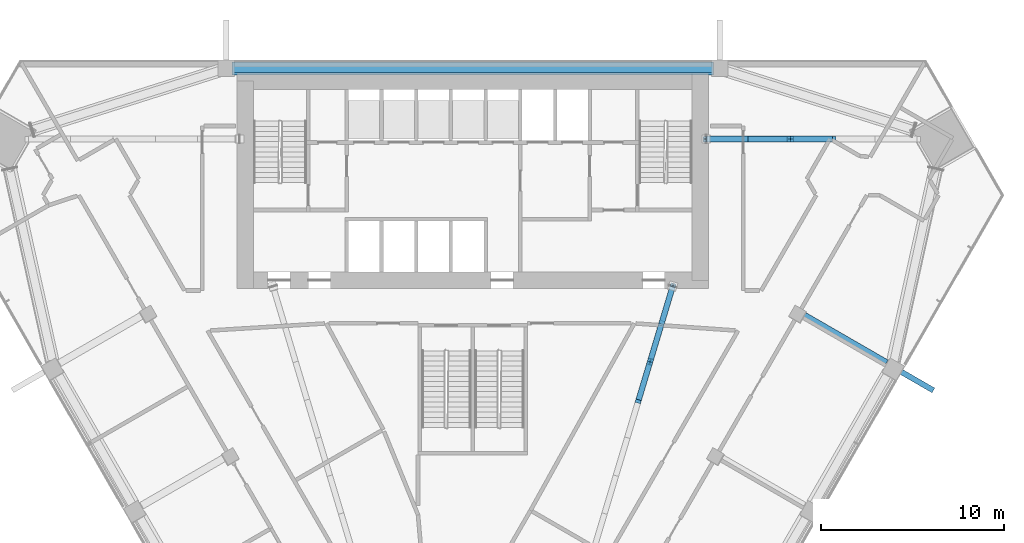
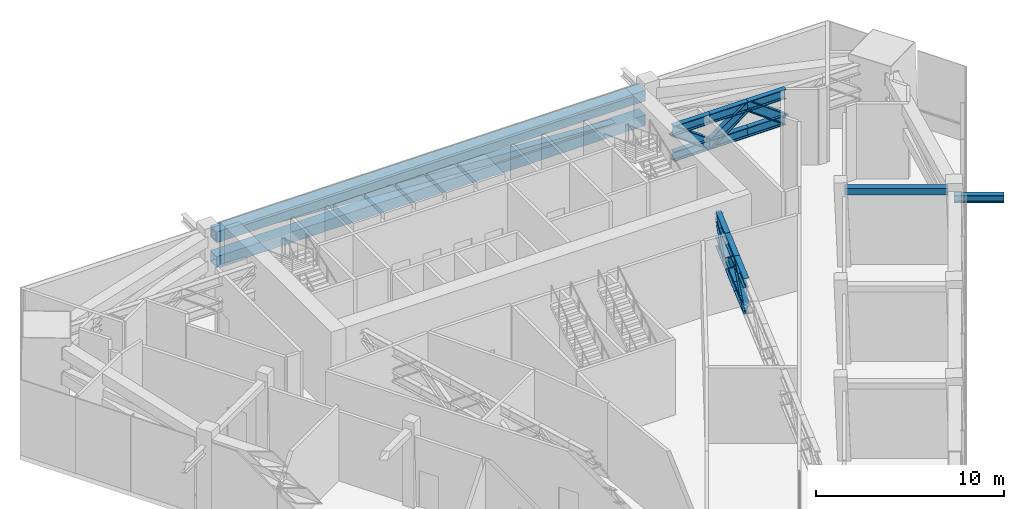
# One storey, part 6 of 15: 22 members, 1 beam.
"""IFC4 building model written with IfcOpenShell, lengths in metres."""

import ifcopenshell
import ifcopenshell.guid

model = None  # the IFC model being written
_history = None  # IfcOwnerHistory: only IFC2X3 demands one
_inside = {}  # id of a spatial element -> (the spatial element, [elements in it])
_under = {}  # id of a project, library or spatial element -> (it, [spatial elements below it])
_declared = {}  # id of a project -> (the project, [libraries it declares])
_typed = {}  # id of a type object -> (the type object, [elements of that type])
_made_of = {}  # id of a material, layer set ... -> (it, [elements and type objects made of it])


def new_model(schema):
    """Start an empty IFC model of exactly this schema.

    Asked for "IFC4X3", IfcOpenShell would pick the latest addendum, in which some entities
    have other attributes; the version numbers below select the first issue.
    IFC2X3 requires an IfcOwnerHistory on every rooted entity: one is made here for all.
    """
    global model, _history
    if schema == "IFC4X3":
        model = ifcopenshell.file(schema_version=(4, 3, 0, 0))
    else:
        model = ifcopenshell.file(schema=schema)
    _inside.clear()
    _under.clear()
    _declared.clear()
    _typed.clear()
    _made_of.clear()
    _history = None
    if model.schema == "IFC2X3":
        org = make("IfcOrganization", Name="unknown")
        user = make(
            "IfcPersonAndOrganization",
            ThePerson=make("IfcPerson", FamilyName="unknown"),
            TheOrganization=org,
        )
        app = make(
            "IfcApplication",
            ApplicationDeveloper=org,
            Version="unknown",
            ApplicationFullName="unknown",
            ApplicationIdentifier="unknown",
        )
        _history = make(
            "IfcOwnerHistory",
            OwningUser=user,
            OwningApplication=app,
            ChangeAction="ADDED",
            CreationDate=0,
        )
    return model


def make(cls, **values):
    """One entity of the class cls with the attributes given. An attribute that is None is left unset."""
    return model.create_entity(
        cls, **{name: value for name, value in values.items() if value is not None}
    )


def rooted(cls, **values):
    """An entity with a GlobalId (a new one), such as an element, a storey or a relation."""
    return make(cls, GlobalId=ifcopenshell.guid.new(), OwnerHistory=_history, **values)


def si_unit(unit_type, name, prefix=None):
    """IfcSIUnit, for example si_unit("LENGTHUNIT", "METRE", prefix="MILLI")."""
    return make("IfcSIUnit", UnitType=unit_type, Prefix=prefix, Name=name)


def assignment(units):
    """IfcUnitAssignment: the units of a project."""
    return None if units is None else make("IfcUnitAssignment", Units=units)


def point(xyz):
    """IfcCartesianPoint."""
    return None if xyz is None else make("IfcCartesianPoint", Coordinates=xyz)


def direction(xyz):
    """IfcDirection."""
    return None if xyz is None else make("IfcDirection", DirectionRatios=xyz)


def frame(location, z_axis=None, x_axis=None):
    """IfcAxis2Placement3D, a coordinate frame: its origin and axes. An axis left out is left unset."""
    return make(
        "IfcAxis2Placement3D",
        Location=point(location),
        Axis=direction(z_axis),
        RefDirection=direction(x_axis),
    )


def frame_2d(location, x_axis=None):
    """IfcAxis2Placement2D, a coordinate frame in the plane: its origin and x axis."""
    return make(
        "IfcAxis2Placement2D", Location=point(location), RefDirection=direction(x_axis)
    )


def origin():
    """The frame at (0, 0, 0) with its axes left unset."""
    return frame((0.0, 0.0, 0.0))


def origin_2d():
    """The frame at (0, 0) in the plane with its x axis left unset."""
    return frame_2d((0.0, 0.0))


def place(relative_to, where):
    """IfcLocalPlacement: puts the frame where relative to a parent placement (None: the world)."""
    return make(
        "IfcLocalPlacement", PlacementRelTo=relative_to, RelativePlacement=where
    )


def context(
    kind, dimensions, precision=None, world=None, true_north=None, identifier=None
):
    """IfcGeometricRepresentationContext, for example the 3D "Model" context."""
    return make(
        "IfcGeometricRepresentationContext",
        ContextIdentifier=identifier,
        ContextType=kind,
        CoordinateSpaceDimension=dimensions,
        Precision=precision,
        WorldCoordinateSystem=world,
        TrueNorth=true_north,
    )


def subcontext(parent, identifier, kind, view, scale=None):
    """IfcGeometricRepresentationSubContext, for example "Body" below "Model"."""
    return make(
        "IfcGeometricRepresentationSubContext",
        ContextIdentifier=identifier,
        ContextType=kind,
        ParentContext=parent,
        TargetScale=scale,
        TargetView=view,
    )


def project(units=None, contexts=None):
    """IfcProject with its units and contexts."""
    return rooted(
        "IfcProject",
        Name="project",
        RepresentationContexts=contexts,
        UnitsInContext=assignment(units),
    )


def spatial(cls, under=None, at=None, **own):
    """A site, building, storey or space (cls), placed at a placement, below another one or the project."""
    s = rooted(cls, ObjectPlacement=at, **own)
    if under is not None:
        _under.setdefault(under.id(), (under, []))[1].append(s)
    return s


def profile(cls, at=None, kind="AREA", **sizes):
    """A parametric profile (cls). Its sizes go by their IFC names, for example OverallWidth=200.0."""
    return make(cls, ProfileType=kind, Position=at, **sizes)


def rectangle(**sizes):
    """IfcRectangleProfileDef."""
    return profile("IfcRectangleProfileDef", **sizes)


def hollow_rectangle(**sizes):
    """IfcRectangleHollowProfileDef."""
    return profile("IfcRectangleHollowProfileDef", **sizes)


def i_section(**sizes):
    """IfcIShapeProfileDef."""
    return profile("IfcIShapeProfileDef", **sizes)


def extrude(swept, where, along, depth):
    """IfcExtrudedAreaSolid: the profile swept, set in the frame where, extruded along a direction by depth."""
    return make(
        "IfcExtrudedAreaSolid",
        SweptArea=swept,
        Position=where,
        ExtrudedDirection=direction(along),
        Depth=depth,
    )


def shape(context_of_items, identifier, shape_type, items):
    """IfcShapeRepresentation: the items that make up one representation, for example the "Body"."""
    return make(
        "IfcShapeRepresentation",
        ContextOfItems=context_of_items,
        RepresentationIdentifier=identifier,
        RepresentationType=shape_type,
        Items=items,
    )


def material(Name=None, Category=None):
    """IfcMaterial."""
    return make("IfcMaterial", Name=Name, Category=Category)


def material_profile(
    of_material, cross_section, Name=None, Category=None, Priority=None
):
    """IfcMaterialProfile: a cross section and its material."""
    return make(
        "IfcMaterialProfile",
        Name=Name,
        Material=of_material,
        Profile=cross_section,
        Priority=Priority,
        Category=Category,
    )


def profile_set(profiles, Name=None, composite=None):
    """IfcMaterialProfileSet."""
    return make(
        "IfcMaterialProfileSet",
        Name=Name,
        MaterialProfiles=profiles,
        CompositeProfile=composite,
    )


def made_of(thing, what):
    """Note that an element or type object is made of a material, layer set ...; save() writes the relation."""
    if what is not None:
        _made_of.setdefault(what.id(), (what, []))[1].append(thing)
    return thing


def type_object(cls, material=None, **own):
    """A type object (cls), such as IfcWallType, which elements share."""
    return made_of(rooted(cls, **own), material)


def element(
    cls,
    number,
    at=None,
    inside=None,
    cuts=None,
    type_object=None,
    material=None,
    context=None,
    identifier="Body",
    shape_type=None,
    held_by="IfcProductDefinitionShape",
    body=None,
    shapes=None,
    **own,
):
    """One element of the class cls, such as IfcWall. Its Tag is "e" and its number.

    at: its placement. inside: the storey or other place that contains it. cuts: it is an
    opening in that element (IfcRelVoidsElement). A single representation is given by context,
    identifier, shape_type and body (its items); several are given by shapes. held_by: the class
    of the entity that holds the representations. save() writes the other relations.
    """
    e = rooted(cls, Tag="e%d" % number, ObjectPlacement=at, **own)
    if body is not None:
        shapes = [shape(context, identifier, shape_type, body)]
    if shapes is not None:
        e.Representation = make(held_by, Representations=shapes)
    if inside is not None:
        _inside.setdefault(inside.id(), (inside, []))[1].append(e)
    if cuts is not None:
        rooted(
            "IfcRelVoidsElement", RelatingBuildingElement=cuts, RelatedOpeningElement=e
        )
    if type_object is not None:
        _typed.setdefault(type_object.id(), (type_object, []))[1].append(e)
    return made_of(e, material)


def aggregate(whole, parts):
    """IfcRelAggregates: a whole, such as a stair, and the parts it consists of."""
    return rooted("IfcRelAggregates", RelatingObject=whole, RelatedObjects=parts)


def save(model, path):
    """Write the relations noted so far, then the file.

    IfcRelAggregates (storeys below a building ...), IfcRelContainedInSpatialStructure (elements
    in a storey), IfcRelDefinesByType, IfcRelAssociatesMaterial and IfcRelDeclares: one each for
    every whole, place, type object, material and project.
    """
    for whole, parts in _under.values():
        aggregate(whole, parts)
    for where, things in _inside.values():
        rooted(
            "IfcRelContainedInSpatialStructure",
            RelatedElements=things,
            RelatingStructure=where,
        )
    for kind, things in _typed.values():
        rooted("IfcRelDefinesByType", RelatedObjects=things, RelatingType=kind)
    for what, things in _made_of.values():
        rooted("IfcRelAssociatesMaterial", RelatedObjects=things, RelatingMaterial=what)
    for by, libraries in _declared.values():
        rooted("IfcRelDeclares", RelatingContext=by, RelatedDefinitions=libraries)
    model.write(path)


model = new_model("IFC4")

# Units and contexts
model_context = context("Model", 3, precision=1e-05, world=origin(), true_north=direction((0.0, 1.0)))
body_context = subcontext(model_context, "Body", "Model", "MODEL_VIEW")
ifc_project = project(units=[si_unit("LENGTHUNIT", "METRE"), si_unit("AREAUNIT", "SQUARE_METRE"), si_unit("VOLUMEUNIT", "CUBIC_METRE"), si_unit("PLANEANGLEUNIT", "RADIAN"), si_unit("MASSUNIT", "GRAM", prefix="KILO")], contexts=[model_context])

# Site, building, storey
site_placement = place(None, origin())
site = spatial("IfcSite", under=ifc_project, at=site_placement, CompositionType="ELEMENT")
building_placement = place(site_placement, origin())
building = spatial("IfcBuilding", under=site, at=building_placement, Name="Altiplano Prism Tower", CompositionType="ELEMENT")
storey_placement = place(building_placement, frame((0.0, 0.0, 95.39990234375)))
storey = spatial("IfcBuildingStorey", under=building, at=storey_placement, Name="L24", CompositionType="ELEMENT", Elevation=95.39990234375)

# Members
ifc_material_1 = material(Name="Steel S355", Category="steel")
ifc_material_profile_1 = material_profile(ifc_material_1, hollow_rectangle(XDim=0.699951171875, YDim=0.699951171875, WallThickness=0.034912109375, at=origin_2d()), Name="Belt chord Box 700x700x35")
ifc_profile_set_1 = profile_set([ifc_material_profile_1], Name="Steel S355")
member_type_1 = type_object("IfcMemberType", Name="Belt chord Box 700x700x35", PredefinedType="CHORD", material=ifc_profile_set_1)
for number, where, z_axis, x_axis, name in (
    (1, (98.169921875, 104.550048828125, 2.9501953125), (-1.0, 0.0, 0.0), (0.0, -1.0, 0.0), "Belt truss R1 chord b3"),
    (2, (98.169921875, 104.550048828125, 4.550048828125), (-1.0, 0.0, 0.0), (0.0, -1.0, 0.0), "Belt truss R1 chord t3"),
):
    element("IfcMember", number, at=place(storey_placement, frame(where, z_axis=z_axis, x_axis=x_axis)), inside=storey, type_object=member_type_1, Name=name, PredefinedType="CHORD", context=body_context, shape_type="SweptSolid", body=[
        extrude(hollow_rectangle(XDim=0.699951171875, YDim=0.699951171875, WallThickness=0.034912109375, at=origin_2d()), origin(), (0.0, 0.0, 1.0), 26.33984375),
    ])
ifc_material_profile_2 = material_profile(ifc_material_1, hollow_rectangle(XDim=0.449951171875, YDim=0.449951171875, WallThickness=0.02490234375, at=origin_2d()), Name="Belt diagonal Box 450x450x25")
ifc_profile_set_2 = profile_set([ifc_material_profile_2], Name="Steel S355")
member_type_2 = type_object("IfcMemberType", Name="Belt diagonal Box 450x450x25", PredefinedType="BRACE", material=ifc_profile_set_2)
member_1_placement = place(storey_placement, frame((98.169921875, 104.550048828125, 2.9697265625), z_axis=(-0.998248979325, 0.0, 0.059152136705), x_axis=(0.0, -1.0, 0.0)))
element("IfcMember", 3, at=member_1_placement, inside=storey, type_object=member_type_2, Name="Belt truss R1 diagonal 3", PredefinedType="BRACE", context=body_context, shape_type="SweptSolid", body=[
    extrude(hollow_rectangle(XDim=0.449951171875, YDim=0.449951171875, WallThickness=0.02490234375, at=origin_2d()), origin(), (0.0, 0.0, 1.0), 26.385986328125),
])
ifc_material_profile_3 = material_profile(ifc_material_1, i_section(OverallWidth=0.300048828125, OverallDepth=0.5, WebThickness=0.014404296875, FlangeThickness=0.028076171875, FilletRadius=0.027099609375, at=origin_2d()), Name="Brace bracket HEB 500")
ifc_profile_set_3 = profile_set([ifc_material_profile_3], Name="Steel S355")
member_type_3 = type_object("IfcMemberType", Name="Brace bracket HEB 500", PredefinedType="STRUT", material=ifc_profile_set_3)
member_2_placement = place(storey_placement, frame((107.906982421875, 88.256591796875, 4.178955078125), z_axis=(0.866029095148, -0.499993606316, 0.0), x_axis=(0.499993606316, 0.866029095148, 0.0)))
element("IfcMember", 4, at=member_2_placement, inside=storey, type_object=member_type_3, Name="Brace bracket 2.100.8", PredefinedType="STRUT", context=body_context, shape_type="SweptSolid", body=[
    extrude(i_section(OverallWidth=0.300048828125, OverallDepth=0.5, WebThickness=0.014404296875, FlangeThickness=0.028076171875, FilletRadius=0.027099609375, at=origin_2d()), origin(), (0.0, 0.0, 1.0), 2.64990234375),
])
ifc_material_profile_4 = material_profile(ifc_material_1, i_section(OverallWidth=0.304931640625, OverallDepth=0.6201171875, WebThickness=0.02099609375, FlangeThickness=0.0400390625, FilletRadius=0.027099609375, at=origin_2d()), Name="Outrigger chord HEM 600")
ifc_profile_set_4 = profile_set([ifc_material_profile_4], Name="Steel S355")
member_type_4 = type_object("IfcMemberType", Name="Outrigger chord HEM 600", PredefinedType="CHORD", material=ifc_profile_set_4)
for number, where, z_axis, x_axis, name in (
    (5, (104.690185546875, 100.687744140625, 2.91015625), (-1.0, 0.0, 0.0), (0.0, -1.0, 0.0), "Outrigger truss R1 2 chord b3"),
    (6, (104.690185546875, 100.687744140625, 4.590087890625), (-1.0, 0.0, 0.0), (0.0, -1.0, 0.0), "Outrigger truss R1 2 chord t3"),
):
    element("IfcMember", number, at=place(storey_placement, frame(where, z_axis=z_axis, x_axis=x_axis)), inside=storey, type_object=member_type_4, Name=name, PredefinedType="CHORD", context=body_context, shape_type="SweptSolid", body=[
        extrude(i_section(OverallWidth=0.304931640625, OverallDepth=0.6201171875, WebThickness=0.02099609375, FlangeThickness=0.0400390625, FilletRadius=0.027099609375, at=origin_2d()), origin(), (0.0, 0.0, 1.0), 2.3134765625),
    ])
for number, where, z_axis, x_axis, name in (
    (7, (102.376708984375, 100.687744140625, 2.91015625), (-1.0, 0.0, 0.0), (0.0, -1.0, 0.0), "Outrigger truss R1 2 chord b4"),
    (8, (102.376708984375, 100.687744140625, 4.590087890625), (-1.0, 0.0, 0.0), (0.0, -1.0, 0.0), "Outrigger truss R1 2 chord t4"),
):
    element("IfcMember", number, at=place(storey_placement, frame(where, z_axis=z_axis, x_axis=x_axis)), inside=storey, type_object=member_type_4, Name=name, PredefinedType="CHORD", context=body_context, shape_type="SweptSolid", body=[
        extrude(i_section(OverallWidth=0.304931640625, OverallDepth=0.6201171875, WebThickness=0.02099609375, FlangeThickness=0.0400390625, FilletRadius=0.027099609375, at=origin_2d()), origin(), (0.0, 0.0, 1.0), 2.313232421875),
    ])
for number, where, z_axis, x_axis, name in (
    (9, (100.0634765625, 100.687744140625, 2.91015625), (-1.0, 0.0, 0.0), (0.0, -1.0, 0.0), "Outrigger truss R1 2 chord b5"),
    (10, (100.0634765625, 100.687744140625, 4.590087890625), (-1.0, 0.0, 0.0), (0.0, -1.0, 0.0), "Outrigger truss R1 2 chord t5"),
):
    element("IfcMember", number, at=place(storey_placement, frame(where, z_axis=z_axis, x_axis=x_axis)), inside=storey, type_object=member_type_4, Name=name, PredefinedType="CHORD", context=body_context, shape_type="SweptSolid", body=[
        extrude(i_section(OverallWidth=0.304931640625, OverallDepth=0.6201171875, WebThickness=0.02099609375, FlangeThickness=0.0400390625, FilletRadius=0.027099609375, at=origin_2d()), origin(), (0.0, 0.0, 1.0), 2.2734375),
    ])
for number, where, z_axis, x_axis, name in (
    (11, (94.07470703125, 86.417724609375, 2.91015625), (0.287451261687, 0.957795266304, 0.0), (-0.957795266304, 0.287451261687, 0.0), "Outrigger truss R1 4 chord b15"),
    (12, (94.07470703125, 86.417724609375, 4.590087890625), (0.287451261687, 0.957795266304, 0.0), (-0.957795266304, 0.287451261687, 0.0), "Outrigger truss R1 4 chord t15"),
):
    element("IfcMember", number, at=place(storey_placement, frame(where, z_axis=z_axis, x_axis=x_axis)), inside=storey, type_object=member_type_4, Name=name, PredefinedType="CHORD", context=body_context, shape_type="SweptSolid", body=[
        extrude(i_section(OverallWidth=0.304931640625, OverallDepth=0.6201171875, WebThickness=0.02099609375, FlangeThickness=0.0400390625, FilletRadius=0.027099609375, at=origin_2d()), origin(), (0.0, 0.0, 1.0), 2.166748046875),
    ])
for number, where, z_axis, x_axis, name in (
    (13, (94.697509765625, 88.492919921875, 2.91015625), (0.287420241393, 0.957804575494, 0.0), (-0.957804575494, 0.287420241393, 0.0), "Outrigger truss R1 4 chord b16"),
    (14, (94.697509765625, 88.492919921875, 4.590087890625), (0.287420241393, 0.957804575494, 0.0), (-0.957804575494, 0.287420241393, 0.0), "Outrigger truss R1 4 chord t16"),
):
    element("IfcMember", number, at=place(storey_placement, frame(where, z_axis=z_axis, x_axis=x_axis)), inside=storey, type_object=member_type_4, Name=name, PredefinedType="CHORD", context=body_context, shape_type="SweptSolid", body=[
        extrude(i_section(OverallWidth=0.304931640625, OverallDepth=0.6201171875, WebThickness=0.02099609375, FlangeThickness=0.0400390625, FilletRadius=0.027099609375, at=origin_2d()), origin(), (0.0, 0.0, 1.0), 2.1669921875),
    ])
for number, where, z_axis, x_axis, name in (
    (15, (95.3203125, 90.568359375, 2.91015625), (0.287432133402, 0.957801006832, 0.0), (-0.957801006832, 0.287432133402, 0.0), "Outrigger truss R1 4 chord b17"),
    (16, (95.3203125, 90.568359375, 4.590087890625), (0.287432133402, 0.957801006832, 0.0), (-0.957801006832, 0.287432133402, 0.0), "Outrigger truss R1 4 chord t17"),
):
    element("IfcMember", number, at=place(storey_placement, frame(where, z_axis=z_axis, x_axis=x_axis)), inside=storey, type_object=member_type_4, Name=name, PredefinedType="CHORD", context=body_context, shape_type="SweptSolid", body=[
        extrude(i_section(OverallWidth=0.304931640625, OverallDepth=0.6201171875, WebThickness=0.02099609375, FlangeThickness=0.0400390625, FilletRadius=0.027099609375, at=origin_2d()), origin(), (0.0, 0.0, 1.0), 2.126953125),
    ])
ifc_material_profile_5 = material_profile(ifc_material_1, i_section(OverallWidth=0.300048828125, OverallDepth=0.60009765625, WebThickness=0.015380859375, FlangeThickness=0.030029296875, FilletRadius=0.027099609375, at=origin_2d()), Name="Outrigger diagonal HEB 600")
ifc_profile_set_5 = profile_set([ifc_material_profile_5], Name="Steel S355")
member_type_5 = type_object("IfcMemberType", Name="Outrigger diagonal HEB 600", PredefinedType="BRACE", material=ifc_profile_set_5)
member_3_placement = place(storey_placement, frame((104.690185546875, 100.687744140625, 2.91015625), z_axis=(-0.809167899918, 0.0, 0.587577492543), x_axis=(0.0, -1.0, 0.0)))
element("IfcMember", 17, at=member_3_placement, inside=storey, type_object=member_type_5, Name="Outrigger truss R1 2 diagonal 3", PredefinedType="BRACE", context=body_context, shape_type="SweptSolid", body=[
    extrude(i_section(OverallWidth=0.300048828125, OverallDepth=0.60009765625, WebThickness=0.015380859375, FlangeThickness=0.030029296875, FilletRadius=0.027099609375, at=origin_2d()), origin(), (0.0, 0.0, 1.0), 2.859130859375),
])
member_4_placement = place(storey_placement, frame((102.376708984375, 100.687744140625, 4.590087890625), z_axis=(-0.809138415748, 0.0, -0.5876180938), x_axis=(0.0, -1.0, 0.0)))
element("IfcMember", 18, at=member_4_placement, inside=storey, type_object=member_type_5, Name="Outrigger truss R1 2 diagonal 4", PredefinedType="BRACE", context=body_context, shape_type="SweptSolid", body=[
    extrude(i_section(OverallWidth=0.300048828125, OverallDepth=0.60009765625, WebThickness=0.015380859375, FlangeThickness=0.030029296875, FilletRadius=0.027099609375, at=origin_2d()), origin(), (0.0, 0.0, 1.0), 2.85888671875),
])
member_5_placement = place(storey_placement, frame((100.0634765625, 100.687744140625, 2.91015625), z_axis=(-0.809144100128, 0.0, 0.587610266442), x_axis=(0.0, -1.0, 0.0)))
element("IfcMember", 19, at=member_5_placement, inside=storey, type_object=member_type_5, Name="Outrigger truss R1 2 diagonal 5", PredefinedType="BRACE", context=body_context, shape_type="SweptSolid", body=[
    extrude(i_section(OverallWidth=0.300048828125, OverallDepth=0.60009765625, WebThickness=0.015380859375, FlangeThickness=0.030029296875, FilletRadius=0.027099609375, at=origin_2d()), origin(), (0.0, 0.0, 1.0), 2.819091796875),
])
for number, where, z_axis, x_axis, name in (
    (20, (94.07470703125, 86.417724609375, 2.91015625), (0.227165823372, 0.756922578855, 0.612751090012), (-0.957795266304, 0.287451261687, 0.0), "Outrigger truss R1 4 diagonal 15"),
    (21, (94.697509765625, 88.492919921875, 4.590087890625), (0.227150512193, 0.756960605313, -0.612709790043), (-0.957804575494, 0.287420241393, 0.0), "Outrigger truss R1 4 diagonal 16"),
):
    element("IfcMember", number, at=place(storey_placement, frame(where, z_axis=z_axis, x_axis=x_axis)), inside=storey, type_object=member_type_5, Name=name, PredefinedType="BRACE", context=body_context, shape_type="SweptSolid", body=[
        extrude(i_section(OverallWidth=0.300048828125, OverallDepth=0.60009765625, WebThickness=0.015380859375, FlangeThickness=0.030029296875, FilletRadius=0.027099609375, at=origin_2d()), origin(), (0.0, 0.0, 1.0), 2.74169921875),
    ])
member_6_placement = place(storey_placement, frame((95.3203125, 90.568359375, 2.91015625), z_axis=(0.227179413438, 0.756903248591, 0.612769929405), x_axis=(-0.957788510255, 0.287473772061, 0.0)))
element("IfcMember", 22, at=member_6_placement, inside=storey, type_object=member_type_5, Name="Outrigger truss R1 4 diagonal 17", PredefinedType="BRACE", context=body_context, shape_type="SweptSolid", body=[
    extrude(i_section(OverallWidth=0.300048828125, OverallDepth=0.60009765625, WebThickness=0.015380859375, FlangeThickness=0.030029296875, FilletRadius=0.027099609375, at=origin_2d()), origin(), (0.0, 0.0, 1.0), 2.70166015625),
])

# Beam
ifc_material_2 = material(Name="Concrete C60/75", Category="concrete")
ifc_material_profile_6 = material_profile(ifc_material_2, rectangle(XDim=0.39990234375, YDim=0.39990234375, at=origin_2d()), Name="Tie beam 400x400")
ifc_profile_set_6 = profile_set([ifc_material_profile_6], Name="Concrete C60/75")
beam_type = type_object("IfcBeamType", Name="Tie beam 400x400", PredefinedType="BEAM", material=ifc_profile_set_6)
beam_placement = place(storey_placement, frame((102.86669921875, 91.16650390625, 4.7001953125), z_axis=(0.866042665983, -0.499970099802, 0.0), x_axis=(0.499970099802, 0.866042665983, 0.0)))
element("IfcBeam", 23, at=beam_placement, inside=storey, type_object=beam_type, Name="Tie beam I24 L25", PredefinedType="BEAM", context=body_context, shape_type="SweptSolid", body=[
    extrude(rectangle(XDim=0.39990234375, YDim=0.39990234375, at=origin_2d()), origin(), (0.0, 0.0, 1.0), 5.489990234375),
])

save(model, "model.ifc")
